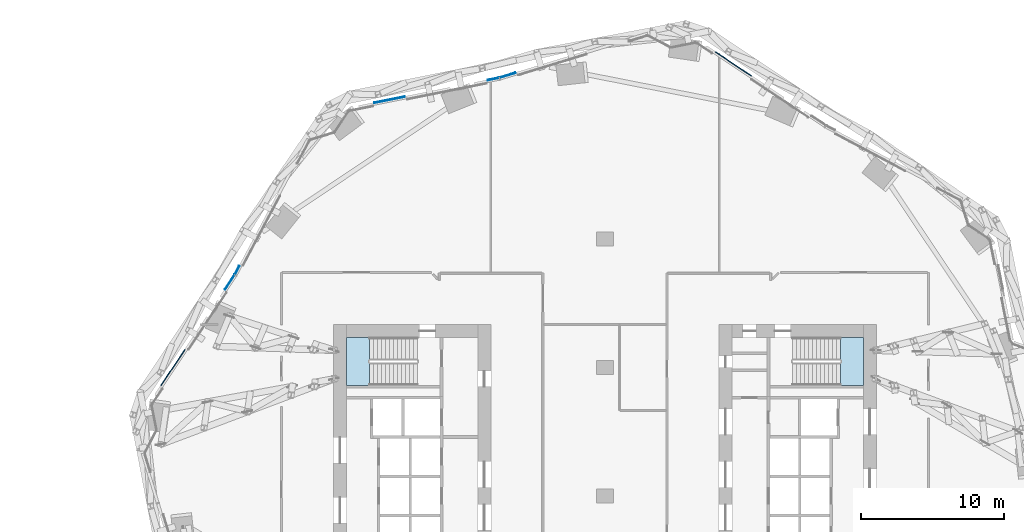
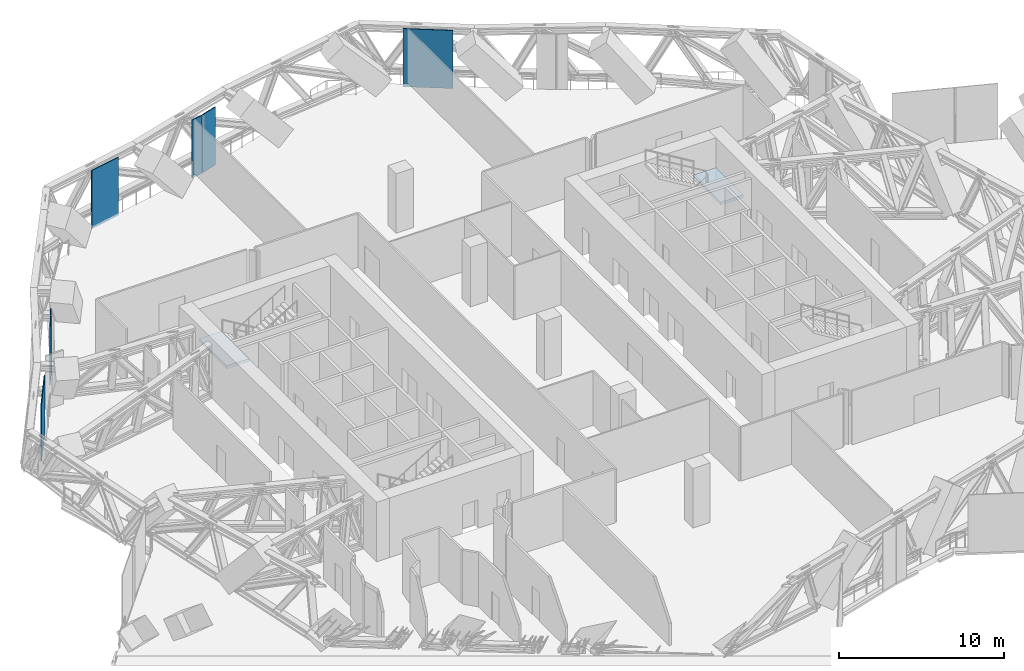
# One storey, part 22 of 34: 7 plates, 2 slabs, 7 elements without a shape of their own.
"""IFC4 building model written with IfcOpenShell, lengths in metres."""

from ifc_helpers import new_model, si_unit, direction, frame, origin, origin_2d, place, context, subcontext, project, spatial, polyline, rectangle, outline, extrude, material, layer, layer_set, type_object, element, aggregate, save


model = new_model("IFC4")

# Units and contexts
model_context = context("Model", 3, precision=1e-05, world=origin(), true_north=direction((0.0, 1.0)))
body_context = subcontext(model_context, "Body", "Model", "MODEL_VIEW")
ifc_project = project(units=[si_unit("LENGTHUNIT", "METRE"), si_unit("AREAUNIT", "SQUARE_METRE"), si_unit("VOLUMEUNIT", "CUBIC_METRE"), si_unit("PLANEANGLEUNIT", "RADIAN"), si_unit("MASSUNIT", "GRAM", prefix="KILO")], contexts=[model_context])

# Site, building, storey
site_placement = place(None, origin())
site = spatial("IfcSite", under=ifc_project, at=site_placement, CompositionType="ELEMENT")
building_placement = place(site_placement, origin())
building = spatial("IfcBuilding", under=site, at=building_placement, Name="Orlundy Tower", CompositionType="ELEMENT")
storey_placement = place(building_placement, frame((0.0, 0.0, 76.300048828125)))
storey = spatial("IfcBuildingStorey", under=building, at=storey_placement, Name="L18", CompositionType="ELEMENT", Elevation=76.300048828125)

# Curtain wall, plates
ifc_material_1 = material(Name="Aluminium bronze anodised", Category="aluminium")
curtain_wall_type = type_object("IfcCurtainWallType", Name="CW4 wall", PredefinedType="NOTDEFINED", material=ifc_material_1)
curtain_wall_1_placement = place(storey_placement, origin())
curtain_wall_1 = element("IfcCurtainWall", 1, at=curtain_wall_1_placement, inside=storey, type_object=curtain_wall_type, Name="CW4 run 02", PredefinedType="NOTDEFINED")
ifc_material_2 = material(Name="Louvre aluminium bronze anodised", Category="aluminium")
ifc_layer_1 = layer(ifc_material_2, 0.06005859375)
ifc_layer_set_1 = layer_set([ifc_layer_1], Name="CW4 louvre panel 60")
plate_type = type_object("IfcPlateType", Name="CW4 louvre panel 60", PredefinedType="CURTAIN_PANEL", material=ifc_layer_set_1)
plate_1_placement = place(storey_placement, frame((-30.2587890625, 8.9951171875, -0.30029296875), z_axis=(0.0, 0.0, 1.0), x_axis=(0.55438385137, 0.832261104066, 0.0)))
plate_1 = element("IfcPlate", 2, at=plate_1_placement, type_object=plate_type, Name="CW4 louvre", PredefinedType="CURTAIN_PANEL", context=body_context, shape_type="SweptSolid", body=[
    extrude(rectangle(XDim=3.0361328125, YDim=0.06005859375, at=origin_2d()), origin(), (0.0, 0.0, 1.0), 4.300048828125),
])
plate_2_placement = place(storey_placement, frame((-26.28125, 14.966064453125, -0.30029296875), z_axis=(0.0, 0.0, 1.0), x_axis=(0.55438385137, 0.832261104066, 0.0)))
plate_2 = element("IfcPlate", 3, at=plate_2_placement, type_object=plate_type, Name="CW4 louvre", PredefinedType="CURTAIN_PANEL", context=body_context, shape_type="SweptSolid", body=[
    extrude(rectangle(XDim=1.184814453125, YDim=0.06005859375, at=origin_2d()), origin(), (0.0, 0.0, 1.0), 4.300048828125),
])
aggregate(curtain_wall_1, [plate_1, plate_2])

# Curtain wall, plate
curtain_wall_2_placement = place(storey_placement, origin())
curtain_wall_2 = element("IfcCurtainWall", 4, at=curtain_wall_2_placement, inside=storey, type_object=curtain_wall_type, Name="CW4 run 03", PredefinedType="NOTDEFINED")
plate_3_placement = place(storey_placement, frame((-25.76416015625, 15.807861328125, -0.30029296875), z_axis=(0.0, 0.0, 1.0), x_axis=(0.469415873959, 0.882977200881, 0.0)))
plate_3 = element("IfcPlate", 5, at=plate_3_placement, type_object=plate_type, Name="CW4 louvre", PredefinedType="CURTAIN_PANEL", context=body_context, shape_type="SweptSolid", body=[
    extrude(rectangle(XDim=0.673095703125, YDim=0.06005859375, at=origin_2d()), origin(), (0.0, 0.0, 1.0), 4.300048828125),
])
aggregate(curtain_wall_2, [plate_3])

# Curtain wall, plates
curtain_wall_3_placement = place(storey_placement, origin())
curtain_wall_3 = element("IfcCurtainWall", 6, at=curtain_wall_3_placement, inside=storey, type_object=curtain_wall_type, Name="CW4 run 06", PredefinedType="NOTDEFINED")
plate_4_placement = place(storey_placement, frame((-15.090087890625, 27.74560546875, -0.30029296875), z_axis=(0.0, 0.0, 1.0), x_axis=(0.98050679248, 0.196485190028, 0.0)))
plate_4 = element("IfcPlate", 7, at=plate_4_placement, type_object=plate_type, Name="CW4 louvre", PredefinedType="CURTAIN_PANEL", context=body_context, shape_type="SweptSolid", body=[
    extrude(rectangle(XDim=2.160400390625, YDim=0.06005859375, at=origin_2d()), origin(), (0.0, 0.0, 1.0), 4.300048828125),
])
plate_5_placement = place(storey_placement, frame((-7.8134765625, 29.20361328125, -0.30029296875), z_axis=(0.0, 0.0, 1.0), x_axis=(0.98050679248, 0.196485190028, 0.0)))
plate_5 = element("IfcPlate", 8, at=plate_5_placement, type_object=plate_type, Name="CW4 louvre", PredefinedType="CURTAIN_PANEL", context=body_context, shape_type="SweptSolid", body=[
    extrude(rectangle(XDim=0.79833984375, YDim=0.06005859375, at=origin_2d()), origin(), (0.0, 0.0, 1.0), 4.300048828125),
])
aggregate(curtain_wall_3, [plate_4, plate_5])

# Curtain wall, plate
curtain_wall_4_placement = place(storey_placement, origin())
curtain_wall_4 = element("IfcCurtainWall", 9, at=curtain_wall_4_placement, inside=storey, type_object=curtain_wall_type, Name="CW4 run 07", PredefinedType="NOTDEFINED")
plate_6_placement = place(storey_placement, frame((-6.8154296875, 29.464599609375, -0.30029296875), z_axis=(0.0, 0.0, 1.0), x_axis=(0.95630118131, 0.29238339663, 0.0)))
plate_6 = element("IfcPlate", 10, at=plate_6_placement, type_object=plate_type, Name="CW4 louvre", PredefinedType="CURTAIN_PANEL", context=body_context, shape_type="SweptSolid", body=[
    extrude(rectangle(XDim=1.14697265625, YDim=0.06005859375, at=origin_2d()), origin(), (0.0, 0.0, 1.0), 4.300048828125),
])
aggregate(curtain_wall_4, [plate_6])

curtain_wall_5_placement = place(storey_placement, origin())
curtain_wall_5 = element("IfcCurtainWall", 11, at=curtain_wall_5_placement, inside=storey, type_object=curtain_wall_type, Name="CW4 run 010", PredefinedType="NOTDEFINED")
plate_7_placement = place(storey_placement, frame((8.9951171875, 30.2587890625, -0.30029296875), z_axis=(0.0, 0.0, 1.0), x_axis=(0.832261104066, -0.55438385137, 0.0)))
plate_7 = element("IfcPlate", 12, at=plate_7_placement, type_object=plate_type, Name="CW4 louvre", PredefinedType="CURTAIN_PANEL", context=body_context, shape_type="SweptSolid", body=[
    extrude(rectangle(XDim=3.0361328125, YDim=0.06005859375, at=origin_2d()), origin(), (0.0, 0.0, 1.0), 4.300048828125),
])
aggregate(curtain_wall_5, [plate_7])

# Stair, slab
ifc_material_3 = material(Name="Concrete C50/60", Category="concrete")
stair_type = type_object("IfcStairType", Name="Exit Stair 26 risers", PredefinedType="HALF_TURN_STAIR", material=ifc_material_3)
stair_1_placement = place(storey_placement, origin())
stair_1 = element("IfcStair", 13, at=stair_1_placement, inside=storey, type_object=stair_type, Name="L18 Exit Stair ST-W1", PredefinedType="HALF_TURN_STAIR")
ifc_material_4 = material(Name="Concrete C50/60", Category="concrete")
ifc_layer_2 = layer(ifc_material_4, 0.199951171875)
ifc_layer_set_2 = layer_set([ifc_layer_2], Name="Exit Stair Landing")
slab_type = type_object("IfcSlabType", Name="Exit Stair Landing", PredefinedType="LANDING", material=ifc_layer_set_2)
slab_1_placement = place(storey_placement, frame((0.0, 0.0, 2.0)))
slab_1 = element("IfcSlab", 14, at=slab_1_placement, type_object=slab_type, Name="ST-W1 landing 1", PredefinedType="LANDING", context=body_context, shape_type="SweptSolid", body=[
    extrude(outline(polyline([(-16.5, 11.10009765625), (-18.10009765625, 11.10009765625), (-18.10009765625, 7.75), (-16.5, 7.75), (-16.5, 11.10009765625)])), origin(), (0.0, 0.0, 1.0), 0.199951171875),
])
aggregate(stair_1, [slab_1])

stair_2_placement = place(storey_placement, origin())
stair_2 = element("IfcStair", 15, at=stair_2_placement, inside=storey, type_object=stair_type, Name="L18 Exit Stair ST-E2", PredefinedType="HALF_TURN_STAIR")
slab_2_placement = place(storey_placement, frame((0.0, 0.0, 2.0)))
slab_2 = element("IfcSlab", 16, at=slab_2_placement, type_object=slab_type, Name="ST-E2 landing 1", PredefinedType="LANDING", context=body_context, shape_type="SweptSolid", body=[
    extrude(outline(polyline([(16.5, 7.75), (18.10009765625, 7.75), (18.10009765625, 11.10009765625), (16.5, 11.10009765625), (16.5, 7.75)])), origin(), (0.0, 0.0, 1.0), 0.199951171875),
])
aggregate(stair_2, [slab_2])

save(model, "model.ifc")
